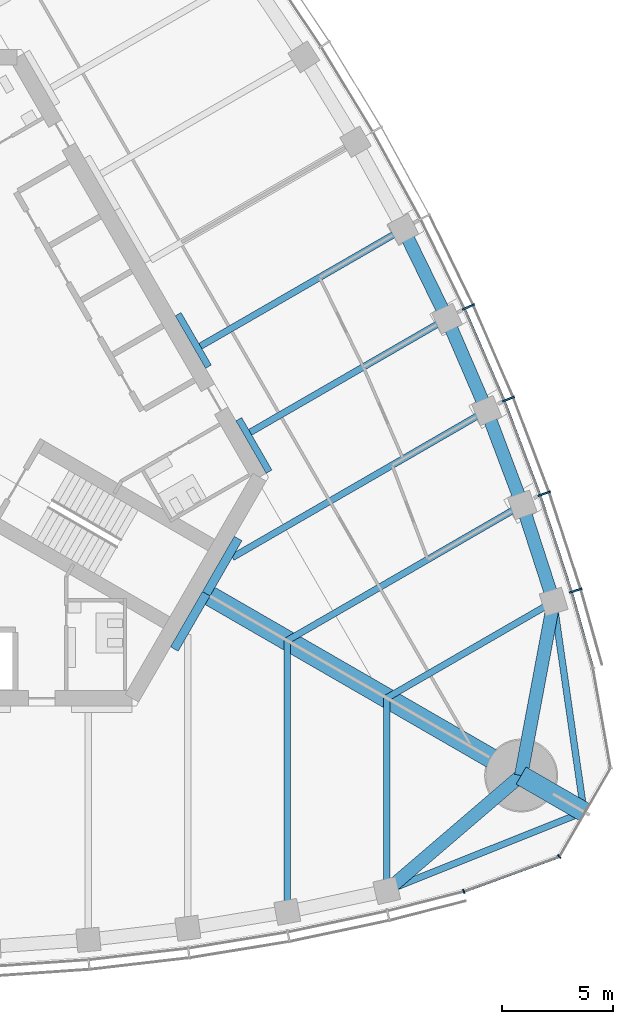
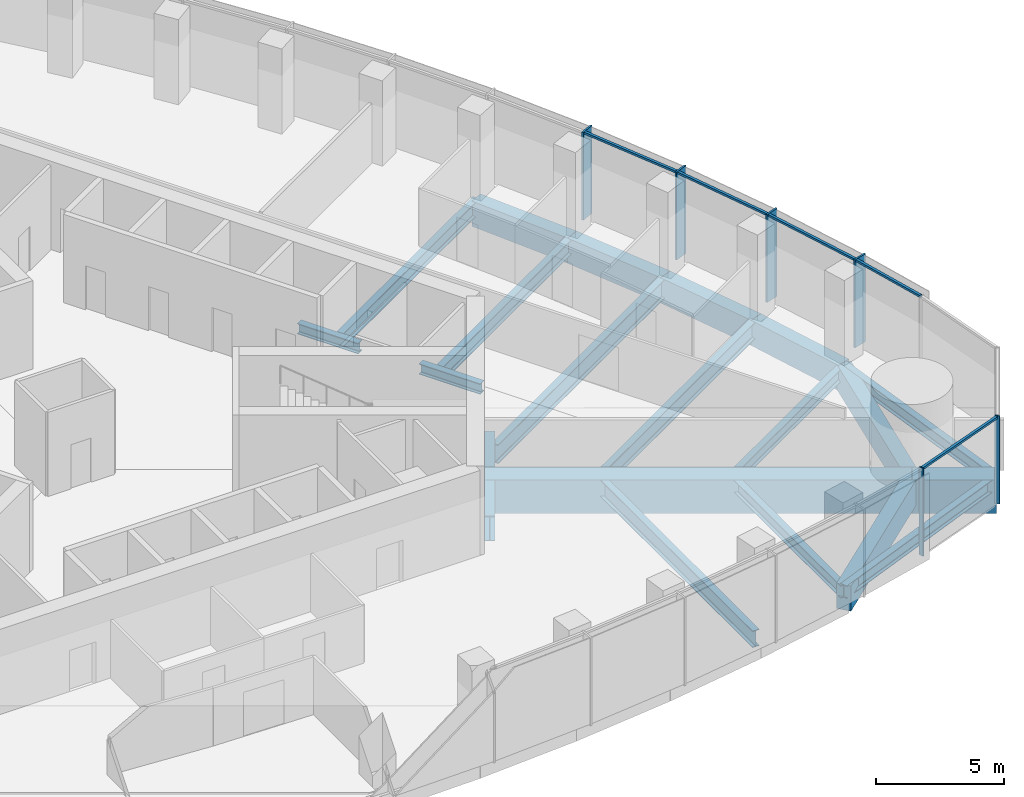
# One storey, part 4 of 19: 21 beams, 11 members, 2 elements without a shape of their own.
"""IFC4 building model written with IfcOpenShell, lengths in metres."""

from ifc_helpers import new_model, si_unit, direction, frame, origin, origin_2d, place, context, subcontext, project, spatial, rectangle, i_section, extrude, material, material_profile, profile_set, type_object, element, aggregate, save


model = new_model("IFC4")

# Units and contexts
model_context = context("Model", 3, precision=1e-05, world=origin(), true_north=direction((0.0, 1.0)))
body_context = subcontext(model_context, "Body", "Model", "MODEL_VIEW")
ifc_project = project(units=[si_unit("LENGTHUNIT", "METRE"), si_unit("AREAUNIT", "SQUARE_METRE"), si_unit("VOLUMEUNIT", "CUBIC_METRE"), si_unit("PLANEANGLEUNIT", "RADIAN"), si_unit("MASSUNIT", "GRAM", prefix="KILO")], contexts=[model_context])

# Site, building, storey
site_placement = place(None, origin())
site = spatial("IfcSite", under=ifc_project, at=site_placement, CompositionType="ELEMENT")
building_placement = place(site_placement, origin())
building = spatial("IfcBuilding", under=site, at=building_placement, Name="Trefoil Bronze Tower", CompositionType="ELEMENT")
storey_placement = place(building_placement, frame((0.0, 0.0, 240.10009765625)))
storey = spatial("IfcBuildingStorey", under=building, at=storey_placement, Name="L55", CompositionType="ELEMENT", Elevation=240.10009765625)

# Curtain wall, members
ifc_material_1 = material(Name="Tinted solar-control glass", Category="glass")
curtain_wall_type_1 = type_object("IfcCurtainWallType", Name="Bronze office curtain wall", PredefinedType="USERDEFINED", material=ifc_material_1)
curtain_wall_1_placement = place(storey_placement, origin())
curtain_wall_1 = element("IfcCurtainWall", 1, at=curtain_wall_1_placement, inside=storey, type_object=curtain_wall_type_1, Name="CW-A L55 F2", ObjectType="CURTAIN WALL", PredefinedType="USERDEFINED")
ifc_material_2 = material(Name="Bronze-finish aluminium", Category="aluminium")
ifc_material_profile_1 = material_profile(ifc_material_2, rectangle(XDim=0.60009765625, YDim=0.080078125, at=origin_2d()), Name="CW-A mullion")
ifc_profile_set_1 = profile_set([ifc_material_profile_1], Name="Bronze-finish aluminium")
member_type_1 = type_object("IfcMemberType", Name="Bronze office curtain wall mullion", PredefinedType="MULLION", material=ifc_profile_set_1)
member_1_placement = place(storey_placement, frame((31.05029296875, -8.132568359375, 0.0), z_axis=(0.0, 0.0, 1.0), x_axis=(-0.95694224323, -0.290278389002, 0.0)))
member_1 = element("IfcMember", 2, at=member_1_placement, type_object=member_type_1, Name="CW-A L55 F2 mullion 2", PredefinedType="MULLION", context=body_context, shape_type="SweptSolid", body=[
    extrude(rectangle(XDim=0.60009765625, YDim=0.080078125, at=origin_2d()), origin(), (0.0, 0.0, 1.0), 4.179931640625),
])
member_2_placement = place(storey_placement, frame((29.619873046875, -3.747314453125, 0.0), z_axis=(0.0, 0.0, 1.0), x_axis=(-0.943180077746, -0.332282020191, 0.0)))
member_2 = element("IfcMember", 3, at=member_2_placement, type_object=member_type_1, Name="CW-A L55 F2 mullion 3", PredefinedType="MULLION", context=body_context, shape_type="SweptSolid", body=[
    extrude(rectangle(XDim=0.60009765625, YDim=0.080078125, at=origin_2d()), origin(), (0.0, 0.0, 1.0), 4.179931640625),
])
member_3_placement = place(storey_placement, frame((27.999755859375, 0.529541015625, 0.0), z_axis=(0.0, 0.0, 1.0), x_axis=(-0.926689348282, -0.375828221106, 0.0)))
member_3 = element("IfcMember", 4, at=member_3_placement, type_object=member_type_1, Name="CW-A L55 F2 mullion 4", PredefinedType="MULLION", context=body_context, shape_type="SweptSolid", body=[
    extrude(rectangle(XDim=0.60009765625, YDim=0.080078125, at=origin_2d()), origin(), (0.0, 0.0, 1.0), 4.179931640625),
])
member_4_placement = place(storey_placement, frame((26.19482421875, 4.699462890625, 0.0), z_axis=(0.0, 0.0, 1.0), x_axis=(-0.908315380354, -0.418285990457, 0.0)))
member_4 = element("IfcMember", 5, at=member_4_placement, type_object=member_type_1, Name="CW-A L55 F2 mullion 5", PredefinedType="MULLION", context=body_context, shape_type="SweptSolid", body=[
    extrude(rectangle(XDim=0.60009765625, YDim=0.080078125, at=origin_2d()), origin(), (0.0, 0.0, 1.0), 4.179931640625),
])
ifc_material_3 = material(Name="Bronze-finish aluminium", Category="aluminium")
ifc_material_profile_2 = material_profile(ifc_material_3, rectangle(XDim=0.1201171875, YDim=0.10009765625, at=origin_2d()), Name="CW-A transom")
ifc_profile_set_2 = profile_set([ifc_material_profile_2], Name="Bronze-finish aluminium")
member_type_2 = type_object("IfcMemberType", Name="Bronze office curtain wall transom", PredefinedType="USERDEFINED", material=ifc_profile_set_2)
member_5_placement = place(storey_placement, frame((31.81201171875, -11.585205078125, 4.1298828125), z_axis=(-0.270284880437, 0.962780392097, 0.0), x_axis=(-0.962780392097, -0.270284880437, 0.0)))
member_5 = element("IfcMember", 6, at=member_5_placement, type_object=member_type_2, Name="CW-A L55 F2 transom 1", ObjectType="TRANSOM", PredefinedType="USERDEFINED", context=body_context, shape_type="SweptSolid", body=[
    extrude(rectangle(XDim=0.1201171875, YDim=0.10009765625, at=origin_2d()), origin(), (0.0, 0.0, 1.0), 3.48388671875),
])
member_6_placement = place(storey_placement, frame((30.845947265625, -8.150634765625, 4.1298828125), z_axis=(-0.310127806788, 0.950694874004, 0.0), x_axis=(-0.950694874004, -0.310127806788, 0.0)))
member_6 = element("IfcMember", 7, at=member_6_placement, type_object=member_type_2, Name="CW-A L55 F2 transom 2", ObjectType="TRANSOM", PredefinedType="USERDEFINED", context=body_context, shape_type="SweptSolid", body=[
    extrude(rectangle(XDim=0.1201171875, YDim=0.10009765625, at=origin_2d()), origin(), (0.0, 0.0, 1.0), 4.51953125),
])
member_7_placement = place(storey_placement, frame((29.416259765625, -3.774169921875, 4.1298828125), z_axis=(-0.354263170896, 0.935145767112, 0.0), x_axis=(-0.935145767112, -0.354263170896, 0.0)))
member_7 = element("IfcMember", 8, at=member_7_placement, type_object=member_type_2, Name="CW-A L55 F2 transom 3", ObjectType="TRANSOM", PredefinedType="USERDEFINED", context=body_context, shape_type="SweptSolid", body=[
    extrude(rectangle(XDim=0.1201171875, YDim=0.10009765625, at=origin_2d()), origin(), (0.0, 0.0, 1.0), 4.4794921875),
])
member_8_placement = place(storey_placement, frame((27.797607421875, 0.4931640625, 4.1298828125), z_axis=(-0.397220936772, 0.917723012346, 0.0), x_axis=(-0.917723012346, -0.397220936772, 0.0)))
member_8 = element("IfcMember", 9, at=member_8_placement, type_object=member_type_2, Name="CW-A L55 F2 transom 4", ObjectType="TRANSOM", PredefinedType="USERDEFINED", context=body_context, shape_type="SweptSolid", body=[
    extrude(rectangle(XDim=0.1201171875, YDim=0.10009765625, at=origin_2d()), origin(), (0.0, 0.0, 1.0), 4.449951171875),
])
aggregate(curtain_wall_1, [member_1, member_2, member_3, member_4, member_5, member_6, member_7, member_8])

ifc_material_4 = material(Name="Tinted solar-control glass", Category="glass")
curtain_wall_type_2 = type_object("IfcCurtainWallType", Name="Bronze rounded corner curtain wall", PredefinedType="USERDEFINED", material=ifc_material_4)
curtain_wall_2_placement = place(storey_placement, origin())
curtain_wall_2 = element("IfcCurtainWall", 10, at=curtain_wall_2_placement, inside=storey, type_object=curtain_wall_type_2, Name="CW-B L55 K1", ObjectType="CURTAIN WALL", PredefinedType="USERDEFINED")
ifc_material_5 = material(Name="Bronze-finish aluminium", Category="aluminium")
ifc_material_profile_3 = material_profile(ifc_material_5, rectangle(XDim=0.199951171875, YDim=0.06005859375, at=origin_2d()), Name="CW-B mullion")
ifc_profile_set_3 = profile_set([ifc_material_profile_3], Name="Bronze-finish aluminium")
member_type_3 = type_object("IfcMemberType", Name="Bronze rounded corner curtain wall mullion", PredefinedType="MULLION", material=ifc_profile_set_3)
member_9_placement = place(storey_placement, frame((25.9873046875, -21.74462890625, 0.0), z_axis=(0.0, 0.0, 1.0), x_axis=(-0.342020143326, 0.939692620786, 0.0)))
member_9 = element("IfcMember", 11, at=member_9_placement, type_object=member_type_3, Name="CW-B L55 K1 mullion 1", PredefinedType="MULLION", context=body_context, shape_type="SweptSolid", body=[
    extrude(rectangle(XDim=0.199951171875, YDim=0.06005859375, at=origin_2d()), origin(), (0.0, 0.0, 1.0), 4.179931640625),
])
member_10_placement = place(storey_placement, frame((30.302490234375, -20.16748046875, 0.0), z_axis=(0.0, 0.0, 1.0), x_axis=(-0.642787609687, 0.766044443119, 0.0)))
member_10 = element("IfcMember", 12, at=member_10_placement, type_object=member_type_3, Name="CW-B L55 K1 mullion 2", PredefinedType="MULLION", context=body_context, shape_type="SweptSolid", body=[
    extrude(rectangle(XDim=0.199951171875, YDim=0.06005859375, at=origin_2d()), origin(), (0.0, 0.0, 1.0), 4.179931640625),
])
ifc_material_6 = material(Name="Bronze-finish aluminium", Category="aluminium")
ifc_material_profile_4 = material_profile(ifc_material_6, rectangle(XDim=0.1201171875, YDim=0.10009765625, at=origin_2d()), Name="CW-B transom")
ifc_profile_set_4 = profile_set([ifc_material_profile_4], Name="Bronze-finish aluminium")
member_type_4 = type_object("IfcMemberType", Name="Bronze rounded corner curtain wall transom", PredefinedType="USERDEFINED", material=ifc_profile_set_4)
member_11_placement = place(storey_placement, frame((26.015380859375, -21.734375, 4.1298828125), z_axis=(0.939680910753, 0.342052314664, 0.0), x_axis=(-0.342052314664, 0.939680910753, 0.0)))
member_11 = element("IfcMember", 13, at=member_11_placement, type_object=member_type_4, Name="CW-B L55 K1 transom 1", ObjectType="TRANSOM", PredefinedType="USERDEFINED", context=body_context, shape_type="SweptSolid", body=[
    extrude(rectangle(XDim=0.1201171875, YDim=0.10009765625, at=origin_2d()), origin(), (0.0, 0.0, 1.0), 4.500244140625),
])
aggregate(curtain_wall_2, [member_9, member_10, member_11])

# Beams
ifc_material_7 = material(Name="Steel C355", Category="steel")
ifc_material_profile_5 = material_profile(ifc_material_7, i_section(OverallWidth=0.300048828125, OverallDepth=0.5, WebThickness=0.014404296875, FlangeThickness=0.028076171875, FilletRadius=0.027099609375, at=origin_2d()), Name="HEB 500")
ifc_profile_set_5 = profile_set([ifc_material_profile_5], Name="Steel C355")
beam_type_1 = type_object("IfcBeamType", Name="Core seat beam HEB 500", PredefinedType="BEAM", material=ifc_profile_set_5)
for number, where, z_axis, x_axis, name in (
    (14, (17.17626953125, -2.75, -0.4501953125), (-0.500035825175, 0.866004719122, 0.0), (-0.866004719122, -0.500035825175, 0.0), "Core seat beam F2/-2 L55"),
    (15, (14.433837890625, 2.0, -0.4501953125), (-0.500035825175, 0.866004719122, 0.0), (-0.866004719122, -0.500035825175, 0.0), "Core seat beam F2/-1 L55"),
):
    element("IfcBeam", number, at=place(storey_placement, frame(where, z_axis=z_axis, x_axis=x_axis)), inside=storey, type_object=beam_type_1, Name=name, PredefinedType="BEAM", context=body_context, shape_type="SweptSolid", body=[
        extrude(i_section(OverallWidth=0.300048828125, OverallDepth=0.5, WebThickness=0.014404296875, FlangeThickness=0.028076171875, FilletRadius=0.027099609375, at=origin_2d()), origin(), (0.0, 0.0, 1.0), 2.742431640625),
    ])
ifc_material_8 = material(Name="Steel C355", Category="steel")
ifc_material_profile_6 = material_profile(ifc_material_8, i_section(OverallWidth=0.39990234375, OverallDepth=1.199951171875, WebThickness=0.02001953125, FlangeThickness=0.0400390625, FilletRadius=0.010009765625, at=origin_2d()), Name="WPG 1200")
ifc_profile_set_6 = profile_set([ifc_material_profile_6], Name="Steel C355")
beam_type_2 = type_object("IfcBeamType", Name="Core seat beam WPG 1200", PredefinedType="BEAM", material=ifc_profile_set_6)
for number, where, z_axis, x_axis, name in (
    (16, (12.889404296875, -10.77490234375, -0.800048828125), (0.499995765644, 0.866027848477, 0.0), (-0.866027848477, 0.499995765644, 0.0), "Core seat beam F1/+3 L55"),
    (17, (14.332763671875, -8.27490234375, -0.800048828125), (0.499995765644, 0.866027848477, 0.0), (-0.866027848477, 0.499995765644, 0.0), "Core seat beam F2/-3 L55"),
):
    element("IfcBeam", number, at=place(storey_placement, frame(where, z_axis=z_axis, x_axis=x_axis)), inside=storey, type_object=beam_type_2, Name=name, PredefinedType="BEAM", context=body_context, shape_type="SweptSolid", body=[
        extrude(i_section(OverallWidth=0.39990234375, OverallDepth=1.199951171875, WebThickness=0.02001953125, FlangeThickness=0.0400390625, FilletRadius=0.010009765625, at=origin_2d()), origin(), (0.0, 0.0, 1.0), 2.88671875),
    ])
ifc_material_9 = material(Name="Concrete B80", Category="concrete")
ifc_material_profile_7 = material_profile(ifc_material_9, rectangle(XDim=0.89990234375, YDim=1.60009765625, at=origin_2d()), Name="RC 900x1600")
ifc_profile_set_7 = profile_set([ifc_material_profile_7], Name="Concrete B80")
beam_type_3 = type_object("IfcBeamType", Name="Corner cantilever RC 900x1600", PredefinedType="BEAM", material=ifc_profile_set_7)
beam_1_placement = place(storey_placement, frame((28.578857421875, -16.5, -1.0), z_axis=(0.866016004958, -0.500016278891, 0.0), x_axis=(0.500016278891, 0.866016004958, 0.0)))
element("IfcBeam", 18, at=beam_1_placement, inside=storey, type_object=beam_type_3, Name="Corner cantilever K1 L55", PredefinedType="BEAM", context=body_context, shape_type="SweptSolid", body=[
    extrude(rectangle(XDim=0.89990234375, YDim=1.60009765625, at=origin_2d()), origin(), (0.0, 0.0, 1.0), 3.28466796875),
])
ifc_material_10 = material(Name="Steel C355", Category="steel")
ifc_material_profile_8 = material_profile(ifc_material_10, i_section(OverallWidth=0.300048828125, OverallDepth=0.60009765625, WebThickness=0.015380859375, FlangeThickness=0.030029296875, FilletRadius=0.027099609375, at=origin_2d()), Name="HEB 600")
ifc_profile_set_8 = profile_set([ifc_material_profile_8], Name="Steel C355")
beam_type_4 = type_object("IfcBeamType", Name="Corner edge beam HEB 600", PredefinedType="BEAM", material=ifc_profile_set_8)
for number, where, z_axis, x_axis, name in (
    (19, (22.5, -21.71044921875, -0.5), (0.92852048463, 0.371281173266, 0.0), (-0.371281173266, 0.92852048463, 0.0), "Corner edge beam F1A L55"),
    (20, (30.052001953125, -8.63037109375, -0.5), (0.142694489722, -0.989766781925, 0.0), (0.989766781925, 0.142694489722, 0.0), "Corner edge beam F2B L55"),
):
    element("IfcBeam", number, at=place(storey_placement, frame(where, z_axis=z_axis, x_axis=x_axis)), inside=storey, type_object=beam_type_4, Name=name, PredefinedType="BEAM", context=body_context, shape_type="SweptSolid", body=[
        extrude(i_section(OverallWidth=0.300048828125, OverallDepth=0.60009765625, WebThickness=0.015380859375, FlangeThickness=0.030029296875, FilletRadius=0.027099609375, at=origin_2d()), origin(), (0.0, 0.0, 1.0), 9.6103515625),
    ])
ifc_material_11 = material(Name="Concrete B80", Category="concrete")
ifc_material_profile_9 = material_profile(ifc_material_11, rectangle(XDim=0.89990234375, YDim=1.60009765625, at=origin_2d()), Name="RC 900x1600")
ifc_profile_set_9 = profile_set([ifc_material_profile_9], Name="Concrete B80")
beam_type_5 = type_object("IfcBeamType", Name="Corner girder RC 900x1600", PredefinedType="BEAM", material=ifc_profile_set_9)
beam_2_placement = place(storey_placement, frame((14.159423828125, -8.175048828125, -1.0), z_axis=(0.866028334591, -0.49999492366, 0.0), x_axis=(0.49999492366, 0.866028334591, 0.0)))
element("IfcBeam", 21, at=beam_2_placement, inside=storey, type_object=beam_type_5, Name="Corner girder K1 L55", PredefinedType="BEAM", context=body_context, shape_type="SweptSolid", body=[
    extrude(rectangle(XDim=0.89990234375, YDim=1.60009765625, at=origin_2d()), origin(), (0.0, 0.0, 1.0), 16.650146484375),
])
ifc_material_12 = material(Name="Concrete B80", Category="concrete")
ifc_material_profile_10 = material_profile(ifc_material_12, rectangle(XDim=0.60009765625, YDim=1.199951171875, at=origin_2d()), Name="RC 600x1200")
ifc_profile_set_10 = profile_set([ifc_material_profile_10], Name="Concrete B80")
beam_type_6 = type_object("IfcBeamType", Name="End spandrel beam RC 600x1200", PredefinedType="SPANDREL", material=ifc_profile_set_10)
for number, where, z_axis, x_axis, name in (
    (22, (22.5, -21.71044921875, -0.800048828125), (0.759256602365, 0.650791373456, 0.0), (-0.650791373456, 0.759256602365, 0.0), "Spandrel F1.12 L55"),
    (23, (28.578857421875, -16.5, -0.800048828125), (0.18399763073, 0.982926686933, 0.0), (-0.982926686933, 0.18399763073, 0.0), "Spandrel F2.1 L55"),
):
    element("IfcBeam", number, at=place(storey_placement, frame(where, z_axis=z_axis, x_axis=x_axis)), inside=storey, type_object=beam_type_6, Name=name, PredefinedType="SPANDREL", context=body_context, shape_type="SweptSolid", body=[
        extrude(rectangle(XDim=0.60009765625, YDim=1.199951171875, at=origin_2d()), origin(), (0.0, 0.0, 1.0), 8.00634765625),
    ])
ifc_material_13 = material(Name="Steel C355", Category="steel")
ifc_material_profile_11 = material_profile(ifc_material_13, i_section(OverallWidth=0.300048828125, OverallDepth=0.590087890625, WebThickness=0.012939453125, FlangeThickness=0.02490234375, FilletRadius=0.027099609375, at=origin_2d()), Name="HEA 600")
ifc_profile_set_11 = profile_set([ifc_material_profile_11], Name="Steel C355")
beam_type_7 = type_object("IfcBeamType", Name="Floor beam HEA 600", PredefinedType="BEAM", material=ifc_profile_set_11)
beam_3_placement = place(storey_placement, frame((22.5, -21.71044921875, -0.4951171875), z_axis=(0.0, 1.0, 0.0), x_axis=(-1.0, 0.0, 0.0)))
element("IfcBeam", 24, at=beam_3_placement, inside=storey, type_object=beam_type_7, Name="Floor beam F1/+5 L55", PredefinedType="BEAM", context=body_context, shape_type="SweptSolid", body=[
    extrude(i_section(OverallWidth=0.300048828125, OverallDepth=0.590087890625, WebThickness=0.012939453125, FlangeThickness=0.02490234375, FilletRadius=0.027099609375, at=origin_2d()), origin(), (0.0, 0.0, 1.0), 8.719970703125),
])
beam_4_placement = place(storey_placement, frame((30.052001953125, -8.63037109375, -0.4951171875), z_axis=(-0.866027535932, -0.499996306993, 0.0), x_axis=(0.499996306993, -0.866027535932, 0.0)))
element("IfcBeam", 25, at=beam_4_placement, inside=storey, type_object=beam_type_7, Name="Floor beam F2/-5 L55", PredefinedType="BEAM", context=body_context, shape_type="SweptSolid", body=[
    extrude(i_section(OverallWidth=0.300048828125, OverallDepth=0.590087890625, WebThickness=0.012939453125, FlangeThickness=0.02490234375, FilletRadius=0.027099609375, at=origin_2d()), origin(), (0.0, 0.0, 1.0), 8.72021484375),
])
ifc_material_14 = material(Name="Steel C355", Category="steel")
ifc_material_profile_12 = material_profile(ifc_material_14, i_section(OverallWidth=0.300048828125, OverallDepth=0.699951171875, WebThickness=0.01708984375, FlangeThickness=0.031982421875, FilletRadius=0.027099609375, at=origin_2d()), Name="HEB 700")
ifc_profile_set_12 = profile_set([ifc_material_profile_12], Name="Steel C355")
beam_type_8 = type_object("IfcBeamType", Name="Floor beam HEB 700", PredefinedType="BEAM", material=ifc_profile_set_12)
beam_5_placement = place(storey_placement, frame((25.2265625, 4.17236328125, -0.550048828125), z_axis=(-0.866019527493, -0.500010177898, 0.0), x_axis=(0.500010177898, -0.866019527493, 0.0)))
element("IfcBeam", 26, at=beam_5_placement, inside=storey, type_object=beam_type_8, Name="Floor beam F2/-2 L55", PredefinedType="BEAM", context=body_context, shape_type="SweptSolid", body=[
    extrude(i_section(OverallWidth=0.300048828125, OverallDepth=0.699951171875, WebThickness=0.01708984375, FlangeThickness=0.031982421875, FilletRadius=0.027099609375, at=origin_2d()), origin(), (0.0, 0.0, 1.0), 10.282958984375),
])
beam_6_placement = place(storey_placement, frame((23.248046875, 8.22607421875, -0.550048828125), z_axis=(-0.86602981261, -0.499992363612, 0.0), x_axis=(0.499992363612, -0.86602981261, 0.0)))
element("IfcBeam", 27, at=beam_6_placement, inside=storey, type_object=beam_type_8, Name="Floor beam F2/-1 L55", PredefinedType="BEAM", context=body_context, shape_type="SweptSolid", body=[
    extrude(i_section(OverallWidth=0.300048828125, OverallDepth=0.699951171875, WebThickness=0.01708984375, FlangeThickness=0.031982421875, FilletRadius=0.027099609375, at=origin_2d()), origin(), (0.0, 0.0, 1.0), 10.596435546875),
])
ifc_material_15 = material(Name="Steel C355", Category="steel")
ifc_material_profile_13 = material_profile(ifc_material_15, i_section(OverallWidth=0.300048828125, OverallDepth=0.800048828125, WebThickness=0.017578125, FlangeThickness=0.032958984375, FilletRadius=0.030029296875, at=origin_2d()), Name="HEB 800")
ifc_profile_set_13 = profile_set([ifc_material_profile_13], Name="Steel C355")
beam_type_9 = type_object("IfcBeamType", Name="Floor beam HEB 800", PredefinedType="BEAM", material=ifc_profile_set_13)
beam_7_placement = place(storey_placement, frame((18.0, -22.6689453125, -0.60009765625), z_axis=(0.0, 1.0, 0.0), x_axis=(-1.0, 0.0, 0.0)))
element("IfcBeam", 28, at=beam_7_placement, inside=storey, type_object=beam_type_9, Name="Floor beam F1/+4 L55", PredefinedType="BEAM", context=body_context, shape_type="SweptSolid", body=[
    extrude(i_section(OverallWidth=0.300048828125, OverallDepth=0.800048828125, WebThickness=0.017578125, FlangeThickness=0.032958984375, FilletRadius=0.030029296875, at=origin_2d()), origin(), (0.0, 0.0, 1.0), 12.276611328125),
])
beam_8_placement = place(storey_placement, frame((28.632080078125, -4.25390625, -0.60009765625), z_axis=(-0.866025635187, -0.499999599199, 0.0), x_axis=(0.499999599199, -0.866025635187, 0.0)))
element("IfcBeam", 29, at=beam_8_placement, inside=storey, type_object=beam_type_9, Name="Floor beam F2/-4 L55", PredefinedType="BEAM", context=body_context, shape_type="SweptSolid", body=[
    extrude(i_section(OverallWidth=0.300048828125, OverallDepth=0.800048828125, WebThickness=0.017578125, FlangeThickness=0.032958984375, FilletRadius=0.030029296875, at=origin_2d()), origin(), (0.0, 0.0, 1.0), 12.27685546875),
])
ifc_material_16 = material(Name="Steel C355", Category="steel")
ifc_material_profile_14 = material_profile(ifc_material_16, i_section(OverallWidth=0.300048828125, OverallDepth=0.89990234375, WebThickness=0.0185546875, FlangeThickness=0.034912109375, FilletRadius=0.030029296875, at=origin_2d()), Name="HEB 900")
ifc_profile_set_14 = profile_set([ifc_material_profile_14], Name="Steel C355")
beam_type_10 = type_object("IfcBeamType", Name="Floor beam HEB 900", PredefinedType="BEAM", material=ifc_profile_set_14)
beam_9_placement = place(storey_placement, frame((27.022216796875, 0.012939453125, -0.650146484375), z_axis=(-0.866023461342, -0.500003364394, 0.0), x_axis=(0.500003364394, -0.866023461342, 0.0)))
element("IfcBeam", 30, at=beam_9_placement, inside=storey, type_object=beam_type_10, Name="Floor beam F2/-3 L55", PredefinedType="BEAM", context=body_context, shape_type="SweptSolid", body=[
    extrude(i_section(OverallWidth=0.300048828125, OverallDepth=0.89990234375, WebThickness=0.0185546875, FlangeThickness=0.034912109375, FilletRadius=0.030029296875, at=origin_2d()), origin(), (0.0, 0.0, 1.0), 13.291015625),
])
ifc_material_17 = material(Name="Concrete B80", Category="concrete")
ifc_material_profile_15 = material_profile(ifc_material_17, rectangle(XDim=0.60009765625, YDim=1.199951171875, at=origin_2d()), Name="RC 600x1200")
ifc_profile_set_15 = profile_set([ifc_material_profile_15], Name="Concrete B80")
beam_type_11 = type_object("IfcBeamType", Name="Spandrel beam RC 600x1200", PredefinedType="SPANDREL", material=ifc_profile_set_15)
beam_10_placement = place(storey_placement, frame((30.052001953125, -8.63037109375, -0.800048828125), z_axis=(-0.308608505504, 0.951189145402, 0.0), x_axis=(-0.951189145402, -0.308608505504, 0.0)))
element("IfcBeam", 31, at=beam_10_placement, inside=storey, type_object=beam_type_11, Name="Spandrel F2.2 L55", PredefinedType="SPANDREL", context=body_context, shape_type="SweptSolid", body=[
    extrude(rectangle(XDim=0.60009765625, YDim=1.199951171875, at=origin_2d()), origin(), (0.0, 0.0, 1.0), 4.60107421875),
])
beam_11_placement = place(storey_placement, frame((28.632080078125, -4.25390625, -0.800048828125), z_axis=(-0.353005969632, 0.935621069346, 0.0), x_axis=(-0.935621069346, -0.353005969632, 0.0)))
element("IfcBeam", 32, at=beam_11_placement, inside=storey, type_object=beam_type_11, Name="Spandrel F2.3 L55", PredefinedType="SPANDREL", context=body_context, shape_type="SweptSolid", body=[
    extrude(rectangle(XDim=0.60009765625, YDim=1.199951171875, at=origin_2d()), origin(), (0.0, 0.0, 1.0), 4.560546875),
])
beam_12_placement = place(storey_placement, frame((27.022216796875, 0.012939453125, -0.800048828125), z_axis=(-0.396350337164, 0.918099346602, 0.0), x_axis=(-0.918099346602, -0.396350337164, 0.0)))
element("IfcBeam", 33, at=beam_12_placement, inside=storey, type_object=beam_type_11, Name="Spandrel F2.4 L55", PredefinedType="SPANDREL", context=body_context, shape_type="SweptSolid", body=[
    extrude(rectangle(XDim=0.60009765625, YDim=1.199951171875, at=origin_2d()), origin(), (0.0, 0.0, 1.0), 4.530517578125),
])
beam_13_placement = place(storey_placement, frame((25.2265625, 4.17236328125, -0.800048828125), z_axis=(-0.438619830351, 0.898672712629, 0.0), x_axis=(-0.898672712629, -0.438619830351, 0.0)))
element("IfcBeam", 34, at=beam_13_placement, inside=storey, type_object=beam_type_11, Name="Spandrel F2.5 L55", PredefinedType="SPANDREL", context=body_context, shape_type="SweptSolid", body=[
    extrude(rectangle(XDim=0.60009765625, YDim=1.199951171875, at=origin_2d()), origin(), (0.0, 0.0, 1.0), 4.5107421875),
])

save(model, "model.ifc")
